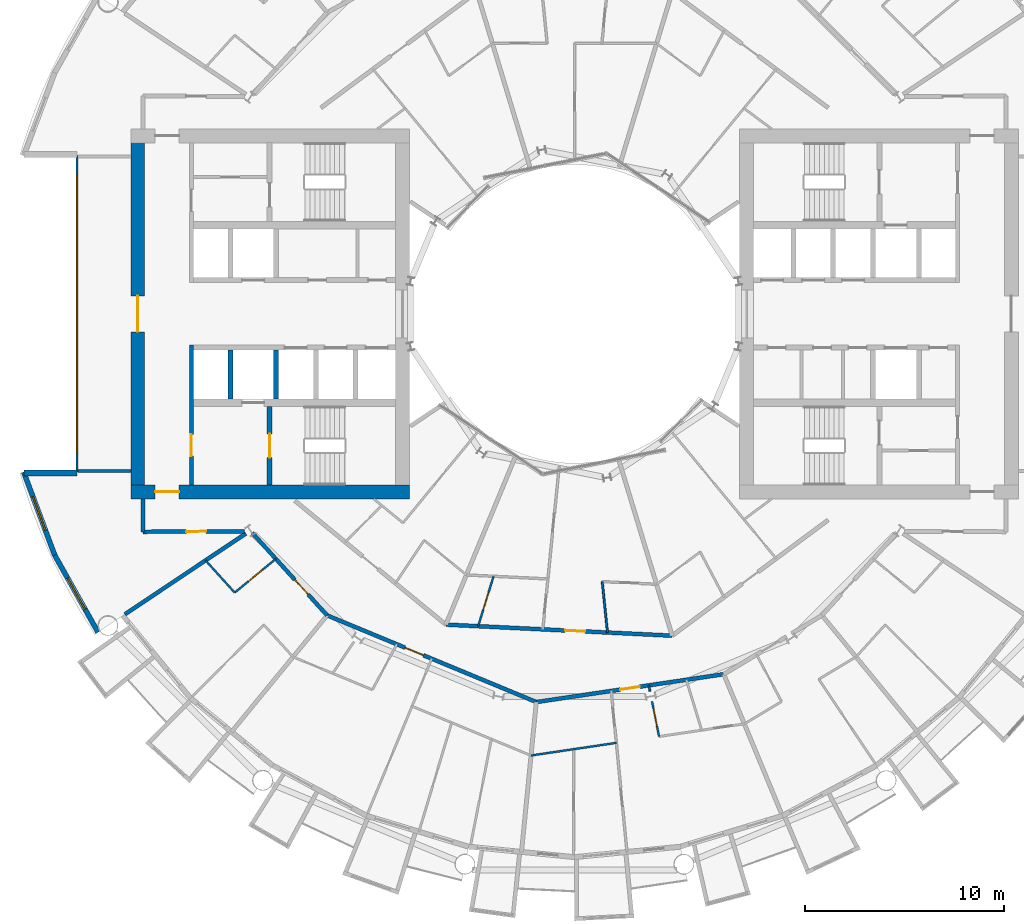
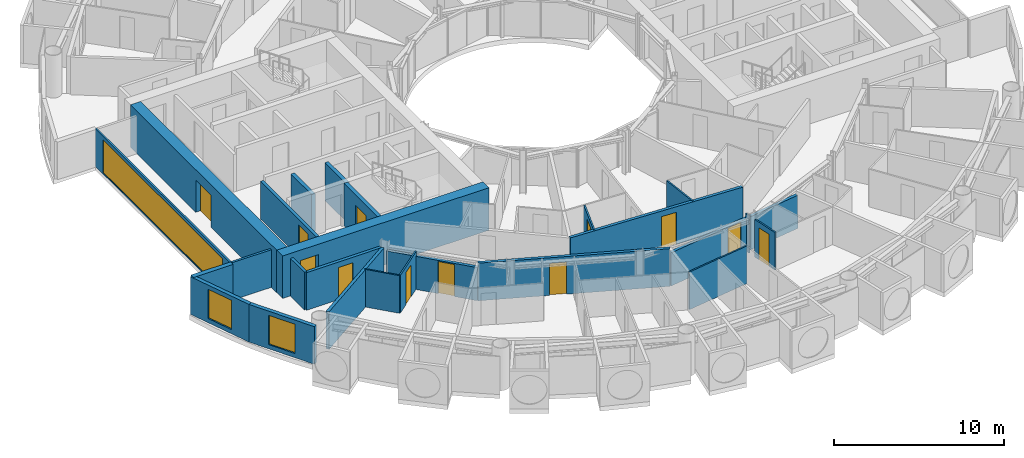
# One storey, part 14 of 26: 25 walls, 12 doors, 3 windows, 15 openings.
"""IFC4 building model written with IfcOpenShell, lengths in metres."""

import ifcopenshell
import ifcopenshell.guid

model = None  # the IFC model being written
_history = None  # IfcOwnerHistory: only IFC2X3 demands one
_inside = {}  # id of a spatial element -> (the spatial element, [elements in it])
_under = {}  # id of a project, library or spatial element -> (it, [spatial elements below it])
_declared = {}  # id of a project -> (the project, [libraries it declares])
_typed = {}  # id of a type object -> (the type object, [elements of that type])
_made_of = {}  # id of a material, layer set ... -> (it, [elements and type objects made of it])


def new_model(schema):
    """Start an empty IFC model of exactly this schema.

    Asked for "IFC4X3", IfcOpenShell would pick the latest addendum, in which some entities
    have other attributes; the version numbers below select the first issue.
    IFC2X3 requires an IfcOwnerHistory on every rooted entity: one is made here for all.
    """
    global model, _history
    if schema == "IFC4X3":
        model = ifcopenshell.file(schema_version=(4, 3, 0, 0))
    else:
        model = ifcopenshell.file(schema=schema)
    _inside.clear()
    _under.clear()
    _declared.clear()
    _typed.clear()
    _made_of.clear()
    _history = None
    if model.schema == "IFC2X3":
        org = make("IfcOrganization", Name="unknown")
        user = make(
            "IfcPersonAndOrganization",
            ThePerson=make("IfcPerson", FamilyName="unknown"),
            TheOrganization=org,
        )
        app = make(
            "IfcApplication",
            ApplicationDeveloper=org,
            Version="unknown",
            ApplicationFullName="unknown",
            ApplicationIdentifier="unknown",
        )
        _history = make(
            "IfcOwnerHistory",
            OwningUser=user,
            OwningApplication=app,
            ChangeAction="ADDED",
            CreationDate=0,
        )
    return model


def make(cls, **values):
    """One entity of the class cls with the attributes given. An attribute that is None is left unset."""
    return model.create_entity(
        cls, **{name: value for name, value in values.items() if value is not None}
    )


def rooted(cls, **values):
    """An entity with a GlobalId (a new one), such as an element, a storey or a relation."""
    return make(cls, GlobalId=ifcopenshell.guid.new(), OwnerHistory=_history, **values)


def si_unit(unit_type, name, prefix=None):
    """IfcSIUnit, for example si_unit("LENGTHUNIT", "METRE", prefix="MILLI")."""
    return make("IfcSIUnit", UnitType=unit_type, Prefix=prefix, Name=name)


def assignment(units):
    """IfcUnitAssignment: the units of a project."""
    return None if units is None else make("IfcUnitAssignment", Units=units)


def point(xyz):
    """IfcCartesianPoint."""
    return None if xyz is None else make("IfcCartesianPoint", Coordinates=xyz)


def direction(xyz):
    """IfcDirection."""
    return None if xyz is None else make("IfcDirection", DirectionRatios=xyz)


def frame(location, z_axis=None, x_axis=None):
    """IfcAxis2Placement3D, a coordinate frame: its origin and axes. An axis left out is left unset."""
    return make(
        "IfcAxis2Placement3D",
        Location=point(location),
        Axis=direction(z_axis),
        RefDirection=direction(x_axis),
    )


def frame_2d(location, x_axis=None):
    """IfcAxis2Placement2D, a coordinate frame in the plane: its origin and x axis."""
    return make(
        "IfcAxis2Placement2D", Location=point(location), RefDirection=direction(x_axis)
    )


def origin():
    """The frame at (0, 0, 0) with its axes left unset."""
    return frame((0.0, 0.0, 0.0))


def place(relative_to, where):
    """IfcLocalPlacement: puts the frame where relative to a parent placement (None: the world)."""
    return make(
        "IfcLocalPlacement", PlacementRelTo=relative_to, RelativePlacement=where
    )


def context(
    kind, dimensions, precision=None, world=None, true_north=None, identifier=None
):
    """IfcGeometricRepresentationContext, for example the 3D "Model" context."""
    return make(
        "IfcGeometricRepresentationContext",
        ContextIdentifier=identifier,
        ContextType=kind,
        CoordinateSpaceDimension=dimensions,
        Precision=precision,
        WorldCoordinateSystem=world,
        TrueNorth=true_north,
    )


def subcontext(parent, identifier, kind, view, scale=None):
    """IfcGeometricRepresentationSubContext, for example "Body" below "Model"."""
    return make(
        "IfcGeometricRepresentationSubContext",
        ContextIdentifier=identifier,
        ContextType=kind,
        ParentContext=parent,
        TargetScale=scale,
        TargetView=view,
    )


def project(units=None, contexts=None):
    """IfcProject with its units and contexts."""
    return rooted(
        "IfcProject",
        Name="project",
        RepresentationContexts=contexts,
        UnitsInContext=assignment(units),
    )


def spatial(cls, under=None, at=None, **own):
    """A site, building, storey or space (cls), placed at a placement, below another one or the project."""
    s = rooted(cls, ObjectPlacement=at, **own)
    if under is not None:
        _under.setdefault(under.id(), (under, []))[1].append(s)
    return s


def profile(cls, at=None, kind="AREA", **sizes):
    """A parametric profile (cls). Its sizes go by their IFC names, for example OverallWidth=200.0."""
    return make(cls, ProfileType=kind, Position=at, **sizes)


def rectangle(**sizes):
    """IfcRectangleProfileDef."""
    return profile("IfcRectangleProfileDef", **sizes)


def extrude(swept, where, along, depth):
    """IfcExtrudedAreaSolid: the profile swept, set in the frame where, extruded along a direction by depth."""
    return make(
        "IfcExtrudedAreaSolid",
        SweptArea=swept,
        Position=where,
        ExtrudedDirection=direction(along),
        Depth=depth,
    )


def shape(context_of_items, identifier, shape_type, items):
    """IfcShapeRepresentation: the items that make up one representation, for example the "Body"."""
    return make(
        "IfcShapeRepresentation",
        ContextOfItems=context_of_items,
        RepresentationIdentifier=identifier,
        RepresentationType=shape_type,
        Items=items,
    )


def material(Name=None, Category=None):
    """IfcMaterial."""
    return make("IfcMaterial", Name=Name, Category=Category)


def layer(
    of_material, thickness, ventilated=None, Name=None, Category=None, Priority=None
):
    """IfcMaterialLayer: one layer of a wall or slab, of a material (None: an air gap)."""
    return make(
        "IfcMaterialLayer",
        Material=of_material,
        LayerThickness=thickness,
        IsVentilated=ventilated,
        Name=Name,
        Category=Category,
        Priority=Priority,
    )


def layer_set(layers, Name=None):
    """IfcMaterialLayerSet."""
    return make("IfcMaterialLayerSet", MaterialLayers=layers, LayerSetName=Name)


def made_of(thing, what):
    """Note that an element or type object is made of a material, layer set ...; save() writes the relation."""
    if what is not None:
        _made_of.setdefault(what.id(), (what, []))[1].append(thing)
    return thing


def type_object(cls, material=None, **own):
    """A type object (cls), such as IfcWallType, which elements share."""
    return made_of(rooted(cls, **own), material)


def element(
    cls,
    number,
    at=None,
    inside=None,
    cuts=None,
    type_object=None,
    material=None,
    context=None,
    identifier="Body",
    shape_type=None,
    held_by="IfcProductDefinitionShape",
    body=None,
    shapes=None,
    **own,
):
    """One element of the class cls, such as IfcWall. Its Tag is "e" and its number.

    at: its placement. inside: the storey or other place that contains it. cuts: it is an
    opening in that element (IfcRelVoidsElement). A single representation is given by context,
    identifier, shape_type and body (its items); several are given by shapes. held_by: the class
    of the entity that holds the representations. save() writes the other relations.
    """
    e = rooted(cls, Tag="e%d" % number, ObjectPlacement=at, **own)
    if body is not None:
        shapes = [shape(context, identifier, shape_type, body)]
    if shapes is not None:
        e.Representation = make(held_by, Representations=shapes)
    if inside is not None:
        _inside.setdefault(inside.id(), (inside, []))[1].append(e)
    if cuts is not None:
        rooted(
            "IfcRelVoidsElement", RelatingBuildingElement=cuts, RelatedOpeningElement=e
        )
    if type_object is not None:
        _typed.setdefault(type_object.id(), (type_object, []))[1].append(e)
    return made_of(e, material)


def fill(opening, filler):
    """IfcRelFillsElement: the door or window that sits in an opening."""
    return rooted(
        "IfcRelFillsElement",
        RelatingOpeningElement=opening,
        RelatedBuildingElement=filler,
    )


def aggregate(whole, parts):
    """IfcRelAggregates: a whole, such as a stair, and the parts it consists of."""
    return rooted("IfcRelAggregates", RelatingObject=whole, RelatedObjects=parts)


def save(model, path):
    """Write the relations noted so far, then the file.

    IfcRelAggregates (storeys below a building ...), IfcRelContainedInSpatialStructure (elements
    in a storey), IfcRelDefinesByType, IfcRelAssociatesMaterial and IfcRelDeclares: one each for
    every whole, place, type object, material and project.
    """
    for whole, parts in _under.values():
        aggregate(whole, parts)
    for where, things in _inside.values():
        rooted(
            "IfcRelContainedInSpatialStructure",
            RelatedElements=things,
            RelatingStructure=where,
        )
    for kind, things in _typed.values():
        rooted("IfcRelDefinesByType", RelatedObjects=things, RelatingType=kind)
    for what, things in _made_of.values():
        rooted("IfcRelAssociatesMaterial", RelatedObjects=things, RelatingMaterial=what)
    for by, libraries in _declared.values():
        rooted("IfcRelDeclares", RelatingContext=by, RelatedDefinitions=libraries)
    model.write(path)


model = new_model("IFC4")

# Units and contexts
model_context = context("Model", 3, precision=1e-05, world=origin(), true_north=direction((0.0, 1.0)))
body_context = subcontext(model_context, "Body", "Model", "MODEL_VIEW")
ifc_project = project(units=[si_unit("LENGTHUNIT", "METRE"), si_unit("AREAUNIT", "SQUARE_METRE"), si_unit("VOLUMEUNIT", "CUBIC_METRE"), si_unit("PLANEANGLEUNIT", "RADIAN"), si_unit("MASSUNIT", "GRAM", prefix="KILO")], contexts=[model_context])

# Site, building, storey
site_placement = place(None, origin())
site = spatial("IfcSite", under=ifc_project, at=site_placement, CompositionType="ELEMENT")
building_placement = place(site_placement, origin())
building = spatial("IfcBuilding", under=site, at=building_placement, Name="Maasbend Ring Residences", CompositionType="ELEMENT")
storey_placement = place(building_placement, frame((0.0, 0.0, 75.800048828125)))
storey = spatial("IfcBuildingStorey", under=building, at=storey_placement, Name="L21", CompositionType="ELEMENT", Elevation=75.800048828125)

# Wall, opening, door
ifc_material_1 = material(Name="Concrete C70/85", Category="concrete")
ifc_layer_1 = layer(ifc_material_1, 0.25)
ifc_layer_set_1 = layer_set([ifc_layer_1], Name="Concrete C70/85")
wall_type_1 = type_object("IfcWallType", Name="CORE WALL 250 C70/85", PredefinedType="SHEAR", material=ifc_layer_set_1)
wall_1_placement = place(storey_placement, frame((-15.324951171875, -4.64990234375, 0.0), z_axis=(0.0, 0.0, 1.0), x_axis=(0.0, -1.0, 0.0)))
wall_1 = element("IfcWall", 1, at=wall_1_placement, inside=storey, type_object=wall_type_1, Name="L21 core W wall STEN", PredefinedType="SHEAR", context=body_context, shape_type="SweptSolid", body=[
    extrude(rectangle(XDim=3.9501953125, YDim=0.25, at=frame_2d((1.97509765625, 0.0))), origin(), (0.0, 0.0, 1.0), 3.050048828125),
])
opening_1_placement = place(wall_1_placement, frame((1.375, 0.0, 0.0)))
opening_1 = element("IfcOpeningElement", 2, at=opening_1_placement, cuts=wall_1, Name="Opening D-W2109", PredefinedType="OPENING", context=body_context, shape_type="SweptSolid", body=[
    extrude(rectangle(XDim=1.199951171875, YDim=2.300048828125, at=frame_2d((0.60009765625, 1.14990234375))), frame((0.0, 0.135009765625, 0.0), z_axis=(0.0, -1.0, 0.0), x_axis=(1.0, 0.0, 0.0)), (0.0, 0.0, 1.0), 0.27001953125),
])
ifc_material_2 = material(Name="Steel, powder coated", Category="steel")
door_type_1 = type_object("IfcDoorType", Name="STAIR DOOR 1200 X 2300 FD60", OperationType="NOTDEFINED", PredefinedType="DOOR", material=ifc_material_2)
door_1_placement = place(opening_1_placement, origin())
door_1 = element("IfcDoor", 3, at=door_1_placement, inside=storey, type_object=door_type_1, Name="Stair door ST-W L21", OperationType="SINGLE_SWING_LEFT", OverallHeight=2.300048828125, OverallWidth=1.199951171875, PredefinedType="DOOR", context=body_context, shape_type="SweptSolid", body=[
    extrude(rectangle(XDim=1.199951171875, YDim=2.300048828125, at=frame_2d((0.60009765625, 1.14990234375))), frame((0.0, 0.02490234375, 0.0), z_axis=(0.0, -1.0, 0.0), x_axis=(1.0, 0.0, 0.0)), (0.0, 0.0, 1.0), 0.050048828125),
])
fill(opening_1, door_1)

ifc_material_3 = material(Name="Concrete C70/85", Category="concrete")
ifc_layer_2 = layer(ifc_material_3, 0.699951171875)
ifc_layer_set_2 = layer_set([ifc_layer_2], Name="Concrete C70/85")
wall_type_2 = type_object("IfcWallType", Name="CORE WALL 700 C70/85", PredefinedType="SHEAR", material=ifc_layer_set_2)
wall_2_placement = place(storey_placement, frame((-22.300048828125, -8.949951171875, 0.0), z_axis=(0.0, 0.0, 1.0), x_axis=(1.0, 0.0, 0.0)))
wall_2 = element("IfcWall", 4, at=wall_2_placement, inside=storey, type_object=wall_type_2, Name="L21 core W wall PN", PredefinedType="SHEAR", context=body_context, shape_type="SweptSolid", body=[
    extrude(rectangle(XDim=14.0, YDim=0.699951171875, at=frame_2d((7.0, 0.0))), origin(), (0.0, 0.0, 1.0), 3.050048828125),
])
opening_2_placement = place(wall_2_placement, frame((1.22509765625, 0.0, 0.0)))
opening_2 = element("IfcOpeningElement", 5, at=opening_2_placement, cuts=wall_2, Name="Opening D-W2113", PredefinedType="OPENING", context=body_context, shape_type="SweptSolid", body=[
    extrude(rectangle(XDim=1.199951171875, YDim=2.300048828125, at=frame_2d((0.60009765625, 1.14990234375))), frame((0.0, 0.35986328125, 0.0), z_axis=(0.0, -1.0, 0.0), x_axis=(1.0, 0.0, 0.0)), (0.0, 0.0, 1.0), 0.719970703125),
])
ifc_material_4 = material(Name="Steel, powder coated", Category="steel")
door_type_2 = type_object("IfcDoorType", Name="CORRIDOR DOOR 1200 X 2300 FD30S", OperationType="NOTDEFINED", PredefinedType="DOOR", material=ifc_material_4)
door_2_placement = place(opening_2_placement, origin())
door_2 = element("IfcDoor", 6, at=door_2_placement, inside=storey, type_object=door_type_2, Name="Corridor door L21", OperationType="SINGLE_SWING_RIGHT", OverallHeight=2.300048828125, OverallWidth=1.199951171875, PredefinedType="DOOR", context=body_context, shape_type="SweptSolid", body=[
    extrude(rectangle(XDim=1.199951171875, YDim=2.300048828125, at=frame_2d((0.60009765625, 1.14990234375))), frame((0.0, 0.02490234375, 0.0), z_axis=(0.0, -1.0, 0.0), x_axis=(1.0, 0.0, 0.0)), (0.0, 0.0, 1.0), 0.050048828125),
])
fill(opening_2, door_2)

wall_3_placement = place(storey_placement, frame((-21.949951171875, -8.60009765625, 0.0), z_axis=(0.0, 0.0, 1.0), x_axis=(0.0, 1.0, 0.0)))
wall_3 = element("IfcWall", 7, at=wall_3_placement, inside=storey, type_object=wall_type_2, Name="L21 core W wall POUT", PredefinedType="SHEAR", context=body_context, shape_type="SweptSolid", body=[
    extrude(rectangle(XDim=17.2001953125, YDim=0.699951171875, at=frame_2d((8.60009765625, 0.0))), origin(), (0.0, 0.0, 1.0), 3.050048828125),
])
opening_3_placement = place(wall_3_placement, frame((7.699951171875, 0.0, 0.0)))
opening_3 = element("IfcOpeningElement", 8, at=opening_3_placement, cuts=wall_3, Name="Opening D-W2115", PredefinedType="OPENING", context=body_context, shape_type="SweptSolid", body=[
    extrude(rectangle(XDim=1.800048828125, YDim=2.300048828125, at=frame_2d((0.89990234375, 1.14990234375))), frame((0.0, 0.35986328125, 0.0), z_axis=(0.0, -1.0, 0.0), x_axis=(1.0, 0.0, 0.0)), (0.0, 0.0, 1.0), 0.719970703125),
])
ifc_material_5 = material(Name="Aluminium frame, clear glass", Category="aluminium")
door_type_3 = type_object("IfcDoorType", Name="ENTRANCE DOOR 1800 X 2300 FD60", OperationType="NOTDEFINED", PredefinedType="DOOR", material=ifc_material_5)
door_3_placement = place(opening_3_placement, origin())
door_3 = element("IfcDoor", 9, at=door_3_placement, inside=storey, type_object=door_type_3, Name="Lobby glazed door L21", OperationType="SINGLE_SWING_LEFT", OverallHeight=2.300048828125, OverallWidth=1.800048828125, PredefinedType="DOOR", context=body_context, shape_type="SweptSolid", body=[
    extrude(rectangle(XDim=1.800048828125, YDim=2.300048828125, at=frame_2d((0.89990234375, 1.14990234375))), frame((0.0, 0.02490234375, 0.0), z_axis=(0.0, -1.0, 0.0), x_axis=(1.0, 0.0, 0.0)), (0.0, 0.0, 1.0), 0.050048828125),
])
fill(opening_3, door_3)

ifc_material_6 = material(Name="Concrete C30/37", Category="concrete")
ifc_layer_3 = layer(ifc_material_6, 0.199951171875)
ifc_layer_set_3 = layer_set([ifc_layer_3], Name="Concrete C30/37")
wall_type_3 = type_object("IfcWallType", Name="CORRIDOR WALL 200 CONCRETE", PredefinedType="PARTITIONING", material=ifc_layer_set_3)
wall_4_placement = place(storey_placement, frame((-16.193115234375, -11.00390625, 0.0), z_axis=(0.0, 0.0, 1.0), x_axis=(0.671601747072, -0.740912338492, 0.0)))
wall_4 = element("IfcWall", 10, at=wall_4_placement, inside=storey, type_object=wall_type_3, Name="U-L21-w013", PredefinedType="PARTITIONING", context=body_context, shape_type="SweptSolid", body=[
    extrude(rectangle(XDim=5.59716796875, YDim=0.199951171875, at=frame_2d((2.798583984375, 0.0))), origin(), (0.0, 0.0, 1.0), 2.3798828125),
])
opening_4_placement = place(wall_4_placement, frame((3.179931640625, 0.0, 0.0)))
opening_4 = element("IfcOpeningElement", 11, at=opening_4_placement, cuts=wall_4, Name="Opening D-2133", PredefinedType="OPENING", context=body_context, shape_type="SweptSolid", body=[
    extrude(rectangle(XDim=1.0, YDim=2.300048828125, at=frame_2d((0.5, 1.14990234375))), frame((0.0, 0.10986328125, 0.0), z_axis=(0.0, -1.0, 0.0), x_axis=(1.0, 0.0, 0.0)), (0.0, 0.0, 1.0), 0.219970703125),
])
ifc_material_7 = material(Name="Timber, fire-rated, painted", Category="wood")
door_type_4 = type_object("IfcDoorType", Name="FLAT ENTRANCE DOOR 1000 X 2300 FIRE-RATED", OperationType="NOTDEFINED", PredefinedType="DOOR", material=ifc_material_7)
door_4_placement = place(opening_4_placement, origin())
door_4 = element("IfcDoor", 12, at=door_4_placement, inside=storey, type_object=door_type_4, Name="D-2133", OperationType="SINGLE_SWING_RIGHT", OverallHeight=2.300048828125, OverallWidth=1.0, PredefinedType="DOOR", context=body_context, shape_type="SweptSolid", body=[
    extrude(rectangle(XDim=1.0, YDim=2.300048828125, at=frame_2d((0.5, 1.14990234375))), frame((0.0, 0.02490234375, 0.0), z_axis=(0.0, -1.0, 0.0), x_axis=(1.0, 0.0, 0.0)), (0.0, 0.0, 1.0), 0.050048828125),
])
fill(opening_4, door_4)

wall_5_placement = place(storey_placement, frame((-1.91796875, -19.507080078125, 0.0), z_axis=(0.0, 0.0, 1.0), x_axis=(0.989144916871, 0.146943300045, 0.0)))
wall_5 = element("IfcWall", 13, at=wall_5_placement, inside=storey, type_object=wall_type_3, Name="U-L21-w017", PredefinedType="PARTITIONING", context=body_context, shape_type="SweptSolid", body=[
    extrude(rectangle(XDim=9.528564453125, YDim=0.199951171875, at=frame_2d((4.76416015625, 0.0))), origin(), (0.0, 0.0, 1.0), 2.3798828125),
])
opening_5_placement = place(wall_5_placement, frame((4.260986328125, 0.0, 0.0)))
opening_5 = element("IfcOpeningElement", 14, at=opening_5_placement, cuts=wall_5, Name="Opening D-2143", PredefinedType="OPENING", context=body_context, shape_type="SweptSolid", body=[
    extrude(rectangle(XDim=1.0, YDim=2.300048828125, at=frame_2d((0.5, 1.14990234375))), frame((0.0, 0.10986328125, 0.0), z_axis=(0.0, -1.0, 0.0), x_axis=(1.0, 0.0, 0.0)), (0.0, 0.0, 1.0), 0.219970703125),
])
door_5_placement = place(opening_5_placement, origin())
door_5 = element("IfcDoor", 15, at=door_5_placement, inside=storey, type_object=door_type_4, Name="D-2143", OperationType="SINGLE_SWING_LEFT", OverallHeight=2.300048828125, OverallWidth=1.0, PredefinedType="DOOR", context=body_context, shape_type="SweptSolid", body=[
    extrude(rectangle(XDim=1.0, YDim=2.300048828125, at=frame_2d((0.5, 1.14990234375))), frame((0.0, 0.02490234375, 0.0), z_axis=(0.0, -1.0, 0.0), x_axis=(1.0, 0.0, 0.0)), (0.0, 0.0, 1.0), 0.050048828125),
])
fill(opening_5, door_5)

wall_6_placement = place(storey_placement, frame((-12.43603515625, -15.14990234375, 0.0), z_axis=(0.0, 0.0, 1.0), x_axis=(0.923858130651, -0.38273509694, 0.0)))
wall_6 = element("IfcWall", 16, at=wall_6_placement, inside=storey, type_object=wall_type_3, Name="U-L21-w018", PredefinedType="PARTITIONING", context=body_context, shape_type="SweptSolid", body=[
    extrude(rectangle(XDim=11.3818359375, YDim=0.199951171875, at=frame_2d((5.69091796875, 0.0))), origin(), (0.0, 0.0, 1.0), 2.699951171875),
])
opening_6_placement = place(wall_6_placement, frame((4.239013671875, 0.0, 0.0)))
opening_6 = element("IfcOpeningElement", 17, at=opening_6_placement, cuts=wall_6, Name="Opening D-2136", PredefinedType="OPENING", context=body_context, shape_type="SweptSolid", body=[
    extrude(rectangle(XDim=1.0, YDim=2.300048828125, at=frame_2d((0.5, 1.14990234375))), frame((0.0, 0.10986328125, 0.0), z_axis=(0.0, -1.0, 0.0), x_axis=(1.0, 0.0, 0.0)), (0.0, 0.0, 1.0), 0.219970703125),
])
door_6_placement = place(opening_6_placement, origin())
door_6 = element("IfcDoor", 18, at=door_6_placement, inside=storey, type_object=door_type_4, Name="D-2136", OperationType="SINGLE_SWING_LEFT", OverallHeight=2.300048828125, OverallWidth=1.0, PredefinedType="DOOR", context=body_context, shape_type="SweptSolid", body=[
    extrude(rectangle(XDim=1.0, YDim=2.300048828125, at=frame_2d((0.5, 1.14990234375))), frame((0.0, 0.02490234375, 0.0), z_axis=(0.0, -1.0, 0.0), x_axis=(1.0, 0.0, 0.0)), (0.0, 0.0, 1.0), 0.050048828125),
])
fill(opening_6, door_6)

wall_7_placement = place(storey_placement, frame((-6.464111328125, -15.615966796875, 0.0), z_axis=(0.0, 0.0, 1.0), x_axis=(0.998805876564, -0.048855101495, 0.0)))
wall_7 = element("IfcWall", 19, at=wall_7_placement, inside=storey, type_object=wall_type_3, Name="U-L21-w020", PredefinedType="PARTITIONING", context=body_context, shape_type="SweptSolid", body=[
    extrude(rectangle(XDim=11.3837890625, YDim=0.199951171875, at=frame_2d((5.69189453125, 0.0))), origin(), (0.0, 0.0, 1.0), 2.699951171875),
])
opening_7_placement = place(wall_7_placement, frame((6.00390625, 0.0, 0.0)))
opening_7 = element("IfcOpeningElement", 20, at=opening_7_placement, cuts=wall_7, Name="Opening D-2159", PredefinedType="OPENING", context=body_context, shape_type="SweptSolid", body=[
    extrude(rectangle(XDim=1.0, YDim=2.300048828125, at=frame_2d((0.5, 1.14990234375))), frame((0.0, 0.10986328125, 0.0), z_axis=(0.0, -1.0, 0.0), x_axis=(1.0, 0.0, 0.0)), (0.0, 0.0, 1.0), 0.219970703125),
])
door_7_placement = place(opening_7_placement, origin())
door_7 = element("IfcDoor", 21, at=door_7_placement, inside=storey, type_object=door_type_4, Name="D-2159", OperationType="SINGLE_SWING_RIGHT", OverallHeight=2.300048828125, OverallWidth=1.0, PredefinedType="DOOR", context=body_context, shape_type="SweptSolid", body=[
    extrude(rectangle(XDim=1.0, YDim=2.300048828125, at=frame_2d((0.5, 1.14990234375))), frame((0.0, 0.02490234375, 0.0), z_axis=(0.0, -1.0, 0.0), x_axis=(1.0, 0.0, 0.0)), (0.0, 0.0, 1.0), 0.050048828125),
])
fill(opening_7, door_7)

wall_8_placement = place(storey_placement, frame((-21.675048828125, -10.949951171875, 0.0), z_axis=(0.0, 0.0, 1.0), x_axis=(0.999987054722, 0.005088259783, 0.0)))
wall_8 = element("IfcWall", 22, at=wall_8_placement, inside=storey, type_object=wall_type_3, Name="U-L21-w028", PredefinedType="PARTITIONING", context=body_context, shape_type="SweptSolid", body=[
    extrude(rectangle(XDim=5.0859375, YDim=0.199951171875, at=frame_2d((2.54296875, 0.0))), origin(), (0.0, 0.0, 1.0), 2.699951171875),
])
opening_8_placement = place(wall_8_placement, frame((2.1630859375, 0.0, 0.0)))
opening_8 = element("IfcOpeningElement", 23, at=opening_8_placement, cuts=wall_8, Name="Opening D-2168", PredefinedType="OPENING", context=body_context, shape_type="SweptSolid", body=[
    extrude(rectangle(XDim=1.0, YDim=2.300048828125, at=frame_2d((0.5, 1.14990234375))), frame((0.0, 0.10986328125, 0.0), z_axis=(0.0, -1.0, 0.0), x_axis=(1.0, 0.0, 0.0)), (0.0, 0.0, 1.0), 0.219970703125),
])
ifc_material_8 = material(Name="Timber, painted", Category="wood")
door_type_5 = type_object("IfcDoorType", Name="ROOM DOOR 1000 X 2300", OperationType="NOTDEFINED", PredefinedType="DOOR", material=ifc_material_8)
door_8_placement = place(opening_8_placement, origin())
door_8 = element("IfcDoor", 24, at=door_8_placement, inside=storey, type_object=door_type_5, Name="D-2168", OperationType="SINGLE_SWING_RIGHT", OverallHeight=2.300048828125, OverallWidth=1.0, PredefinedType="DOOR", context=body_context, shape_type="SweptSolid", body=[
    extrude(rectangle(XDim=1.0, YDim=2.300048828125, at=frame_2d((0.5, 1.14990234375))), frame((0.0, 0.02490234375, 0.0), z_axis=(0.0, -1.0, 0.0), x_axis=(1.0, 0.0, 0.0)), (0.0, 0.0, 1.0), 0.050048828125),
])
fill(opening_8, door_8)

# Wall
wall_9_placement = place(storey_placement, frame((-21.675048828125, -10.949951171875, 0.0), z_axis=(0.0, 0.0, 1.0), x_axis=(0.0, 1.0, 0.0)))
element("IfcWall", 25, at=wall_9_placement, inside=storey, type_object=wall_type_3, Name="U-L21-w115", PredefinedType="PARTITIONING", context=body_context, shape_type="SweptSolid", body=[
    extrude(rectangle(XDim=1.64990234375, YDim=0.199951171875, at=frame_2d((0.824951171875, 0.0))), origin(), (0.0, 0.0, 1.0), 2.699951171875),
])

# Wall, opening, window
ifc_material_9 = material(Name="Aluminium clad insulated panel", Category="aluminium")
ifc_layer_4 = layer(ifc_material_9, 0.25)
ifc_layer_set_4 = layer_set([ifc_layer_4], Name="EW-HORN")
wall_type_4 = type_object("IfcWallType", Name="EW-HORN", PredefinedType="SOLIDWALL", material=ifc_layer_set_4)
wall_10_placement = place(storey_placement, frame((-27.681884765625, -7.945068359375, 0.0), z_axis=(0.0, 0.0, 1.0), x_axis=(0.349247811493, -0.937030397675, 0.0)))
wall_10 = element("IfcWall", 26, at=wall_10_placement, inside=storey, type_object=wall_type_4, Name="Horn wall 3.1", PredefinedType="SOLIDWALL", context=body_context, shape_type="SweptSolid", body=[
    extrude(rectangle(XDim=4.4521484375, YDim=0.25, at=frame_2d((2.22607421875, 0.0))), origin(), (0.0, 0.0, 1.0), 2.699951171875),
])
opening_9_placement = place(wall_10_placement, frame((1.32666015625, 0.0, 0.300048828125)))
opening_9 = element("IfcOpeningElement", 27, at=opening_9_placement, cuts=wall_10, Name="Opening W-BX", PredefinedType="OPENING", context=body_context, shape_type="SweptSolid", body=[
    extrude(rectangle(XDim=1.800048828125, YDim=2.10009765625, at=frame_2d((0.89990234375, 1.050048828125))), frame((0.0, 0.135009765625, 0.0), z_axis=(0.0, -1.0, 0.0), x_axis=(1.0, 0.0, 0.0)), (0.0, 0.0, 1.0), 0.27001953125),
])
ifc_material_10 = material(Name="Aluminium and clear glass", Category="aluminium")
window_type_1 = type_object("IfcWindowType", Name="W-BX", PartitioningType="DOUBLE_PANEL_VERTICAL", PredefinedType="WINDOW", material=ifc_material_10)
window_1_placement = place(opening_9_placement, origin())
window_1 = element("IfcWindow", 28, at=window_1_placement, inside=storey, type_object=window_type_1, Name="Horn window 3.1", OverallHeight=2.10009765625, OverallWidth=1.800048828125, PartitioningType="SINGLE_PANEL", PredefinedType="WINDOW", context=body_context, shape_type="SweptSolid", body=[
    extrude(rectangle(XDim=1.800048828125, YDim=2.10009765625, at=frame_2d((0.89990234375, 1.050048828125))), frame((0.0, 0.030029296875, 0.0), z_axis=(0.0, -1.0, 0.0), x_axis=(1.0, 0.0, 0.0)), (0.0, 0.0, 1.0), 0.06005859375),
])
fill(opening_9, window_1)

wall_11_placement = place(storey_placement, frame((-26.126953125, -12.116943359375, 0.0), z_axis=(0.0, 0.0, 1.0), x_axis=(0.489696356642, -0.871893042919, 0.0)))
wall_11 = element("IfcWall", 29, at=wall_11_placement, inside=storey, type_object=wall_type_4, Name="Horn wall 3.2", PredefinedType="SOLIDWALL", context=body_context, shape_type="SweptSolid", body=[
    extrude(rectangle(XDim=4.45361328125, YDim=0.25, at=frame_2d((2.226806640625, 0.0))), origin(), (0.0, 0.0, 1.0), 2.699951171875),
])
opening_10_placement = place(wall_11_placement, frame((1.32666015625, 0.0, 0.300048828125)))
opening_10 = element("IfcOpeningElement", 30, at=opening_10_placement, cuts=wall_11, Name="Opening W-BX", PredefinedType="OPENING", context=body_context, shape_type="SweptSolid", body=[
    extrude(rectangle(XDim=1.800048828125, YDim=2.10009765625, at=frame_2d((0.89990234375, 1.050048828125))), frame((0.0, 0.135009765625, 0.0), z_axis=(0.0, -1.0, 0.0), x_axis=(1.0, 0.0, 0.0)), (0.0, 0.0, 1.0), 0.27001953125),
])
window_2_placement = place(opening_10_placement, origin())
window_2 = element("IfcWindow", 31, at=window_2_placement, inside=storey, type_object=window_type_1, Name="Horn window 3.2", OverallHeight=2.10009765625, OverallWidth=1.800048828125, PartitioningType="SINGLE_PANEL", PredefinedType="WINDOW", context=body_context, shape_type="SweptSolid", body=[
    extrude(rectangle(XDim=1.800048828125, YDim=2.10009765625, at=frame_2d((0.89990234375, 1.050048828125))), frame((0.0, 0.030029296875, 0.0), z_axis=(0.0, -1.0, 0.0), x_axis=(1.0, 0.0, 0.0)), (0.0, 0.0, 1.0), 0.06005859375),
])
fill(opening_10, window_2)

# Wall
ifc_material_11 = material(Name="Aluminium clad insulated panel", Category="aluminium")
ifc_layer_5 = layer(ifc_material_11, 0.300048828125)
ifc_layer_set_5 = layer_set([ifc_layer_5], Name="EW-RET")
wall_type_5 = type_object("IfcWallType", Name="EW-RET", PredefinedType="SOLIDWALL", material=ifc_layer_set_5)
wall_12_placement = place(storey_placement, frame((-25.0, -8.0, 0.0), z_axis=(0.0, 0.0, 1.0), x_axis=(-1.0, 0.0, 0.0)))
element("IfcWall", 32, at=wall_12_placement, inside=storey, type_object=wall_type_5, Name="Notch return wall west south", PredefinedType="SOLIDWALL", context=body_context, shape_type="SweptSolid", body=[
    extrude(rectangle(XDim=2.6669921875, YDim=0.300048828125, at=frame_2d((1.33349609375, 0.0))), origin(), (0.0, 0.0, 1.0), 2.699951171875),
])

# Wall, opening, window
ifc_material_12 = material(Name="Aluminium frame and clear glass", Category="aluminium")
ifc_layer_6 = layer(ifc_material_12, 0.1201171875)
ifc_layer_set_6 = layer_set([ifc_layer_6], Name="GLAZED SCREEN WALL 120 EI 60")
wall_type_6 = type_object("IfcWallType", Name="GLAZED SCREEN WALL 120 EI 60", PredefinedType="PARTITIONING", material=ifc_layer_set_6)
wall_13_placement = place(storey_placement, frame((-25.0, 7.949951171875, 0.0), z_axis=(0.0, 0.0, 1.0), x_axis=(0.0, -1.0, 0.0)))
wall_13 = element("IfcWall", 33, at=wall_13_placement, inside=storey, type_object=wall_type_6, Name="L21 core W wall FACE", PredefinedType="PARTITIONING", context=body_context, shape_type="SweptSolid", body=[
    extrude(rectangle(XDim=15.89990234375, YDim=0.1201171875, at=frame_2d((7.949951171875, 0.0))), origin(), (0.0, 0.0, 1.0), 2.699951171875),
])
opening_11_placement = place(wall_13_placement, frame((0.949951171875, 0.0, 0.10009765625)))
opening_11 = element("IfcOpeningElement", 34, at=opening_11_placement, cuts=wall_13, Name="Opening W-W2102", PredefinedType="OPENING", context=body_context, shape_type="SweptSolid", body=[
    extrude(rectangle(XDim=14.0, YDim=2.35009765625, at=frame_2d((7.0, 1.175048828125))), frame((0.0, 0.070068359375, 0.0), z_axis=(0.0, -1.0, 0.0), x_axis=(1.0, 0.0, 0.0)), (0.0, 0.0, 1.0), 0.14013671875),
])
ifc_material_13 = material(Name="Aluminium frame and clear glass", Category="aluminium")
window_type_2 = type_object("IfcWindowType", Name="FIXED WINDOW 14000 X 2350", PartitioningType="SINGLE_PANEL", PredefinedType="WINDOW", material=ifc_material_13)
window_3_placement = place(opening_11_placement, origin())
window_3 = element("IfcWindow", 35, at=window_3_placement, inside=storey, type_object=window_type_2, Name="Lobby window L21", OverallHeight=2.35009765625, OverallWidth=14.0, PartitioningType="SINGLE_PANEL", PredefinedType="WINDOW", context=body_context, shape_type="SweptSolid", body=[
    extrude(rectangle(XDim=14.0, YDim=2.35009765625, at=frame_2d((7.0, 1.175048828125))), frame((0.0, 0.030029296875, 0.0), z_axis=(0.0, -1.0, 0.0), x_axis=(1.0, 0.0, 0.0)), (0.0, 0.0, 1.0), 0.06005859375),
])
fill(opening_11, window_3)

# Walls
ifc_material_14 = material(Name="Gypsum board on steel studs", Category="steel")
ifc_layer_7 = layer(ifc_material_14, 0.10009765625)
ifc_layer_set_7 = layer_set([ifc_layer_7], Name="PARTITION 100 GYPSUM")
wall_type_7 = type_object("IfcWallType", Name="PARTITION 100 GYPSUM", PredefinedType="PARTITIONING", material=ifc_layer_set_7)
wall_14_placement = place(storey_placement, frame((-18.5419921875, -12.388916015625, 0.0), z_axis=(0.0, 0.0, 1.0), x_axis=(0.671396556615, -0.741098282123, 0.0)))
element("IfcWall", 36, at=wall_14_placement, inside=storey, type_object=wall_type_7, Name="U-L21-w001", PredefinedType="PARTITIONING", context=body_context, shape_type="SweptSolid", body=[
    extrude(rectangle(XDim=2.18212890625, YDim=0.10009765625, at=frame_2d((1.091064453125, 0.0))), origin(), (0.0, 0.0, 1.0), 2.699951171875),
])
wall_15_placement = place(storey_placement, frame((-2.18603515625, -22.193115234375, 0.0), z_axis=(0.0, 0.0, 1.0), x_axis=(0.989171386505, 0.146765009863, 0.0)))
element("IfcWall", 37, at=wall_15_placement, inside=storey, type_object=wall_type_7, Name="U-L21-w009", PredefinedType="PARTITIONING", context=body_context, shape_type="SweptSolid", body=[
    extrude(rectangle(XDim=4.3349609375, YDim=0.10009765625, at=frame_2d((2.16748046875, 0.0))), origin(), (0.0, 0.0, 1.0), 2.699951171875),
])

# Wall, opening, door
wall_16_placement = place(storey_placement, frame((-17.076904296875, -14.006103515625, 0.0), z_axis=(0.0, 0.0, 1.0), x_axis=(0.77319617123, 0.634166918717, 0.0)))
wall_16 = element("IfcWall", 38, at=wall_16_placement, inside=storey, type_object=wall_type_7, Name="U-L21-w043", PredefinedType="PARTITIONING", context=body_context, shape_type="SweptSolid", body=[
    extrude(rectangle(XDim=2.674560546875, YDim=0.10009765625, at=frame_2d((1.33740234375, 0.0))), origin(), (0.0, 0.0, 1.0), 2.699951171875),
])
opening_12_placement = place(wall_16_placement, frame((0.886962890625, 0.0, 0.0)))
opening_12 = element("IfcOpeningElement", 39, at=opening_12_placement, cuts=wall_16, Name="Opening D-2134", PredefinedType="OPENING", context=body_context, shape_type="SweptSolid", body=[
    extrude(rectangle(XDim=0.89990234375, YDim=2.300048828125, at=frame_2d((0.449951171875, 1.14990234375))), frame((0.0, 0.06005859375, 0.0), z_axis=(0.0, -1.0, 0.0), x_axis=(1.0, 0.0, 0.0)), (0.0, 0.0, 1.0), 0.1201171875),
])
ifc_material_15 = material(Name="Timber, painted", Category="wood")
door_type_6 = type_object("IfcDoorType", Name="INTERNAL DOOR 900 X 2300", OperationType="NOTDEFINED", PredefinedType="DOOR", material=ifc_material_15)
door_9_placement = place(opening_12_placement, origin())
door_9 = element("IfcDoor", 40, at=door_9_placement, inside=storey, type_object=door_type_6, Name="D-2134", OperationType="SINGLE_SWING_LEFT", OverallHeight=2.300048828125, OverallWidth=0.89990234375, PredefinedType="DOOR", context=body_context, shape_type="SweptSolid", body=[
    extrude(rectangle(XDim=0.89990234375, YDim=2.300048828125, at=frame_2d((0.449951171875, 1.14990234375))), frame((0.0, 0.02490234375, 0.0), z_axis=(0.0, -1.0, 0.0), x_axis=(1.0, 0.0, 0.0)), (0.0, 0.0, 1.0), 0.050048828125),
])
fill(opening_12, door_9)

wall_17_placement = place(storey_placement, frame((-4.843017578125, -15.693115234375, 0.0), z_axis=(0.0, 0.0, 1.0), x_axis=(0.294961884541, 0.955509019669, 0.0)))
wall_17 = element("IfcWall", 41, at=wall_17_placement, inside=storey, type_object=wall_type_7, Name="U-L21-w058", PredefinedType="PARTITIONING", context=body_context, shape_type="SweptSolid", body=[
    extrude(rectangle(XDim=2.623779296875, YDim=0.10009765625, at=frame_2d((1.31201171875, 0.0))), origin(), (0.0, 0.0, 1.0), 2.699951171875),
])
opening_13_placement = place(wall_17_placement, frame((0.862060546875, 0.0, 0.0)))
opening_13 = element("IfcOpeningElement", 42, at=opening_13_placement, cuts=wall_17, Name="Opening D-2162", PredefinedType="OPENING", context=body_context, shape_type="SweptSolid", body=[
    extrude(rectangle(XDim=0.89990234375, YDim=2.300048828125, at=frame_2d((0.449951171875, 1.14990234375))), frame((0.0, 0.06005859375, 0.0), z_axis=(0.0, -1.0, 0.0), x_axis=(1.0, 0.0, 0.0)), (0.0, 0.0, 1.0), 0.1201171875),
])
door_10_placement = place(opening_13_placement, origin())
door_10 = element("IfcDoor", 43, at=door_10_placement, inside=storey, type_object=door_type_6, Name="D-2162", OperationType="SINGLE_SWING_RIGHT", OverallHeight=2.300048828125, OverallWidth=0.89990234375, PredefinedType="DOOR", context=body_context, shape_type="SweptSolid", body=[
    extrude(rectangle(XDim=0.89990234375, YDim=2.300048828125, at=frame_2d((0.449951171875, 1.14990234375))), frame((0.0, 0.02490234375, 0.0), z_axis=(0.0, -1.0, 0.0), x_axis=(1.0, 0.0, 0.0)), (0.0, 0.0, 1.0), 0.050048828125),
])
fill(opening_13, door_10)

# Walls
wall_18_placement = place(storey_placement, frame((1.39208984375, -13.4541015625, 0.0), z_axis=(0.0, 0.0, 1.0), x_axis=(0.102594773028, -0.994723234145, 0.0)))
element("IfcWall", 44, at=wall_18_placement, inside=storey, type_object=wall_type_7, Name="U-L21-w068", PredefinedType="PARTITIONING", context=body_context, shape_type="SweptSolid", body=[
    extrude(rectangle(XDim=2.572509765625, YDim=0.10009765625, at=frame_2d((1.2861328125, 0.0))), origin(), (0.0, 0.0, 1.0), 2.699951171875),
])
wall_19_placement = place(storey_placement, frame((3.73193359375, -18.6669921875, 0.0), z_axis=(0.0, 0.0, 1.0), x_axis=(0.195804928618, -0.980642865639, 0.0)))
element("IfcWall", 45, at=wall_19_placement, inside=storey, type_object=wall_type_7, Name="U-L21-w072", PredefinedType="PARTITIONING", context=body_context, shape_type="SweptSolid", body=[
    extrude(rectangle(XDim=0.3017578125, YDim=0.10009765625, at=frame_2d((0.15087890625, 0.0))), origin(), (0.0, 0.0, 1.0), 2.699951171875),
])

# Wall, opening, door
wall_20_placement = place(storey_placement, frame((3.89404296875, -19.47705078125, 0.0), z_axis=(0.0, 0.0, 1.0), x_axis=(0.195933221699, -0.980617240637, 0.0)))
wall_20 = element("IfcWall", 46, at=wall_20_placement, inside=storey, type_object=wall_type_7, Name="U-L21-w073", PredefinedType="PARTITIONING", context=body_context, shape_type="SweptSolid", body=[
    extrude(rectangle(XDim=1.796875, YDim=0.10009765625, at=frame_2d((0.8984375, 0.0))), origin(), (0.0, 0.0, 1.0), 2.699951171875),
])
opening_14_placement = place(wall_20_placement, frame((0.3740234375, 0.0, 0.0)))
opening_14 = element("IfcOpeningElement", 47, at=opening_14_placement, cuts=wall_20, Name="Opening D-2145", PredefinedType="OPENING", context=body_context, shape_type="SweptSolid", body=[
    extrude(rectangle(XDim=0.89990234375, YDim=2.300048828125, at=frame_2d((0.449951171875, 1.14990234375))), frame((0.0, 0.06005859375, 0.0), z_axis=(0.0, -1.0, 0.0), x_axis=(1.0, 0.0, 0.0)), (0.0, 0.0, 1.0), 0.1201171875),
])
door_11_placement = place(opening_14_placement, origin())
door_11 = element("IfcDoor", 48, at=door_11_placement, inside=storey, type_object=door_type_6, Name="D-2145", OperationType="SINGLE_SWING_LEFT", OverallHeight=2.300048828125, OverallWidth=0.89990234375, PredefinedType="DOOR", context=body_context, shape_type="SweptSolid", body=[
    extrude(rectangle(XDim=0.89990234375, YDim=2.300048828125, at=frame_2d((0.449951171875, 1.14990234375))), frame((0.0, 0.02490234375, 0.0), z_axis=(0.0, -1.0, 0.0), x_axis=(1.0, 0.0, 0.0)), (0.0, 0.0, 1.0), 0.050048828125),
])
fill(opening_14, door_11)

# Walls
ifc_material_16 = material(Name="Gypsum board on steel studs", Category="steel")
ifc_layer_8 = layer(ifc_material_16, 0.14990234375)
ifc_layer_set_8 = layer_set([ifc_layer_8], Name="PARTITION 150 EI 60")
wall_type_8 = type_object("IfcWallType", Name="PARTITION 150 EI 60", PredefinedType="PARTITIONING", material=ifc_layer_set_8)
wall_21_placement = place(storey_placement, frame((-22.300048828125, -7.89990234375, 0.0), z_axis=(0.0, 0.0, 1.0), x_axis=(-1.0, 0.0, 0.0)))
element("IfcWall", 49, at=wall_21_placement, inside=storey, type_object=wall_type_8, Name="L21 core W wall CITN", PredefinedType="PARTITIONING", context=body_context, shape_type="SweptSolid", body=[
    extrude(rectangle(XDim=2.639892578125, YDim=0.14990234375, at=frame_2d((1.31982421875, 0.0))), origin(), (0.0, 0.0, 1.0), 2.699951171875),
])
ifc_material_17 = material(Name="Concrete C30/37", Category="concrete")
ifc_layer_9 = layer(ifc_material_17, 0.199951171875)
ifc_layer_set_9 = layer_set([ifc_layer_9], Name="Concrete C30/37")
wall_type_9 = type_object("IfcWallType", Name="PARTY WALL 200 CONCRETE", PredefinedType="PARTITIONING", material=ifc_layer_set_9)
wall_22_placement = place(storey_placement, frame((-22.594970703125, -15.096923828125, 0.0), z_axis=(0.0, 0.0, 1.0), x_axis=(0.831505405283, 0.555516661303, 0.0)))
element("IfcWall", 50, at=wall_22_placement, inside=storey, type_object=wall_type_9, Name="U-L21-w037", PredefinedType="PARTITIONING", context=body_context, shape_type="SweptSolid", body=[
    extrude(rectangle(XDim=7.31201171875, YDim=0.199951171875, at=frame_2d((3.656005859375, 0.0))), origin(), (0.0, 0.0, 1.0), 2.699951171875),
])

# Wall, opening, door
ifc_material_18 = material(Name="Concrete C30/37", Category="concrete")
ifc_layer_10 = layer(ifc_material_18, 0.199951171875)
ifc_layer_set_10 = layer_set([ifc_layer_10], Name="Concrete C30/37")
wall_type_10 = type_object("IfcWallType", Name="SHAFT WALL 200 EI 120", PredefinedType="SOLIDWALL", material=ifc_layer_set_10)
wall_23_placement = place(storey_placement, frame((-19.25, -1.574951171875, 0.0), z_axis=(0.0, 0.0, 1.0), x_axis=(0.0, -1.0, 0.0)))
wall_23 = element("IfcWall", 51, at=wall_23_placement, inside=storey, type_object=wall_type_10, Name="L21 core W wall ENDN", PredefinedType="SOLIDWALL", context=body_context, shape_type="SweptSolid", body=[
    extrude(rectangle(XDim=7.025146484375, YDim=0.199951171875, at=frame_2d((3.5126953125, 0.0))), origin(), (0.0, 0.0, 1.0), 2.699951171875),
])
opening_15_placement = place(wall_23_placement, frame((4.47509765625, 0.0, 0.0)))
opening_15 = element("IfcOpeningElement", 52, at=opening_15_placement, cuts=wall_23, Name="Opening D-W2111", PredefinedType="OPENING", context=body_context, shape_type="SweptSolid", body=[
    extrude(rectangle(XDim=1.10009765625, YDim=2.300048828125, at=frame_2d((0.550048828125, 1.14990234375))), frame((0.0, 0.10986328125, 0.0), z_axis=(0.0, -1.0, 0.0), x_axis=(1.0, 0.0, 0.0)), (0.0, 0.0, 1.0), 0.219970703125),
])
ifc_material_19 = material(Name="Steel, powder coated", Category="steel")
door_type_7 = type_object("IfcDoorType", Name="LOBBY DOOR 1100 X 2300 FD60", OperationType="NOTDEFINED", PredefinedType="DOOR", material=ifc_material_19)
door_12_placement = place(opening_15_placement, origin())
door_12 = element("IfcDoor", 53, at=door_12_placement, inside=storey, type_object=door_type_7, Name="Lobby door L21", OperationType="SINGLE_SWING_LEFT", OverallHeight=2.300048828125, OverallWidth=1.10009765625, PredefinedType="DOOR", context=body_context, shape_type="SweptSolid", body=[
    extrude(rectangle(XDim=1.10009765625, YDim=2.300048828125, at=frame_2d((0.550048828125, 1.14990234375))), frame((0.0, 0.02490234375, 0.0), z_axis=(0.0, -1.0, 0.0), x_axis=(1.0, 0.0, 0.0)), (0.0, 0.0, 1.0), 0.050048828125),
])
fill(opening_15, door_12)

# Walls
ifc_material_20 = material(Name="Concrete C30/37", Category="concrete")
ifc_layer_11 = layer(ifc_material_20, 0.25)
ifc_layer_set_11 = layer_set([ifc_layer_11], Name="Concrete C30/37")
wall_type_11 = type_object("IfcWallType", Name="SHAFT WALL 250 EI 120", PredefinedType="SOLIDWALL", material=ifc_layer_set_11)
for number, where, z_axis, x_axis, name in (
    (54, (-15.0, -1.824951171875, 0.0), (0.0, 0.0, 1.0), (0.0, -1.0, 0.0), "L21 core W wall D150N"),
    (55, (-17.300048828125, -1.824951171875, 0.0), (0.0, 0.0, 1.0), (0.0, -1.0, 0.0), "L21 core W wall D173N"),
):
    element("IfcWall", number, at=place(storey_placement, frame(where, z_axis=z_axis, x_axis=x_axis)), inside=storey, type_object=wall_type_11, Name=name, PredefinedType="SOLIDWALL", context=body_context, shape_type="SweptSolid", body=[
        extrude(rectangle(XDim=2.449951171875, YDim=0.25, at=frame_2d((1.22509765625, 0.0))), origin(), (0.0, 0.0, 1.0), 2.699951171875),
    ])

save(model, "model.ifc")
